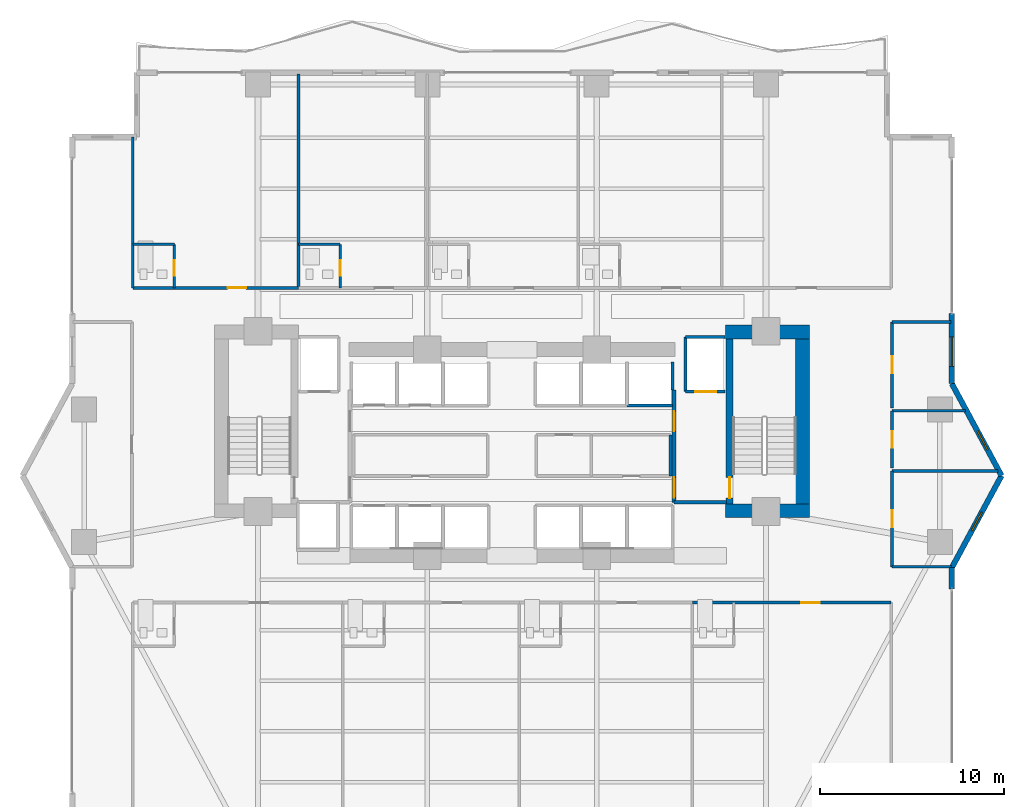
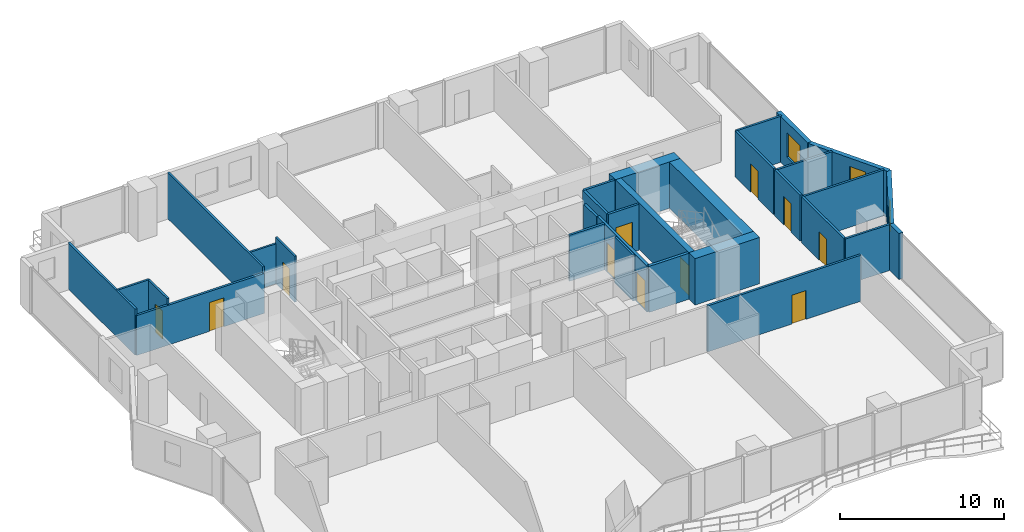
# One storey, part 22 of 28: 31 walls, 11 doors, 3 windows, 14 openings.
"""IFC4 building model written with IfcOpenShell, lengths in metres."""

from ifc_helpers import new_model, si_unit, direction, frame, frame_2d, origin, place, context, subcontext, project, spatial, rectangle, extrude, material, layer, layer_set, type_object, element, fill, save


model = new_model("IFC4")

# Units and contexts
model_context = context("Model", 3, precision=1e-05, world=origin(), true_north=direction((0.0, 1.0)))
body_context = subcontext(model_context, "Body", "Model", "MODEL_VIEW")
ifc_project = project(units=[si_unit("LENGTHUNIT", "METRE"), si_unit("AREAUNIT", "SQUARE_METRE"), si_unit("VOLUMEUNIT", "CUBIC_METRE"), si_unit("PLANEANGLEUNIT", "RADIAN"), si_unit("MASSUNIT", "GRAM", prefix="KILO")], contexts=[model_context])

# Site, building, storey
site_placement = place(None, origin())
site = spatial("IfcSite", under=ifc_project, at=site_placement, CompositionType="ELEMENT")
building_placement = place(site_placement, origin())
building = spatial("IfcBuilding", under=site, at=building_placement, Name="Zuhayl Quay Hotel", CompositionType="ELEMENT")
storey_placement = place(building_placement, frame((0.0, 0.0, 121.199951171875)))
storey = spatial("IfcBuildingStorey", under=building, at=storey_placement, Name="L30", CompositionType="ELEMENT", Elevation=121.199951171875)

# Walls
ifc_material_1 = material(Name="Concrete C60/75", Category="concrete")
ifc_layer_1 = layer(ifc_material_1, 0.75, Name="Concrete C60/75", Category="concrete")
ifc_layer_set_1 = layer_set([ifc_layer_1], Name="Concrete C60/75")
wall_type_1 = type_object("IfcWallType", Name="WL_CORE_750", PredefinedType="SHEAR", material=ifc_layer_set_1)
wall_1_placement = place(storey_placement, frame((11.60009765625, 14.304931640625, 0.0), z_axis=(0.0, 0.0, 1.0), x_axis=(1.0, 0.0, 0.0)))
element("IfcWall", 1, at=wall_1_placement, inside=storey, type_object=wall_type_1, Name="L30 Core Shear Wall CW_NE", PredefinedType="SHEAR", context=body_context, shape_type="SweptSolid", body=[
    extrude(rectangle(XDim=4.559814453125, YDim=0.75, at=frame_2d((2.27978515625, 0.0))), origin(), (0.0, 0.0, 1.0), 3.4599609375),
])
wall_2_placement = place(storey_placement, frame((15.784912109375, 4.969970703125, 0.0), z_axis=(0.0, 0.0, 1.0), x_axis=(0.0, 1.0, 0.0)))
element("IfcWall", 2, at=wall_2_placement, inside=storey, type_object=wall_type_1, Name="L30 Core Shear Wall CW_E", PredefinedType="SHEAR", context=body_context, shape_type="SweptSolid", body=[
    extrude(rectangle(XDim=8.9599609375, YDim=0.75, at=frame_2d((4.47998046875, 0.0))), origin(), (0.0, 0.0, 1.0), 3.4599609375),
])
wall_3_placement = place(storey_placement, frame((11.60009765625, 4.594970703125, 0.0), z_axis=(0.0, 0.0, 1.0), x_axis=(1.0, 0.0, 0.0)))
element("IfcWall", 3, at=wall_3_placement, inside=storey, type_object=wall_type_1, Name="L30 Core Shear Wall CW_SE", PredefinedType="SHEAR", context=body_context, shape_type="SweptSolid", body=[
    extrude(rectangle(XDim=4.559814453125, YDim=0.75, at=frame_2d((2.27978515625, 0.0))), origin(), (0.0, 0.0, 1.0), 3.4599609375),
])

# Wall, opening, window
ifc_material_2 = material(Name="Precast concrete C45/55", Category="concrete")
ifc_layer_2 = layer(ifc_material_2, 0.300048828125, Name="Precast concrete C45/55", Category="concrete")
ifc_layer_set_2 = layer_set([ifc_layer_2], Name="Precast concrete C45/55")
wall_type_2 = type_object("IfcWallType", Name="WL_EXT_300", PredefinedType="STANDARD", material=ifc_layer_set_2)
wall_4_placement = place(storey_placement, frame((23.89990234375, 15.300048828125, 0.0), z_axis=(0.0, 0.0, 1.0), x_axis=(0.0, -1.0, 0.0)))
wall_4 = element("IfcWall", 4, at=wall_4_placement, inside=storey, type_object=wall_type_2, Name="L30 Exterior Precast Wall ENV_L30_E11_EW2", PredefinedType="STANDARD", context=body_context, shape_type="SweptSolid", body=[
    extrude(rectangle(XDim=3.800048828125, YDim=0.300048828125, at=frame_2d((1.89990234375, 0.0))), origin(), (0.0, 0.0, 1.0), 3.429931640625),
])
opening_1_placement = place(wall_4_placement, frame((1.264892578125, 0.0, 0.85009765625)))
opening_1 = element("IfcOpeningElement", 5, at=opening_1_placement, cuts=wall_4, Name="Opening W01", PredefinedType="OPENING", context=body_context, shape_type="SweptSolid", body=[
    extrude(rectangle(XDim=1.60009765625, YDim=1.800048828125, at=frame_2d((0.800048828125, 0.89990234375))), frame((0.0, 0.159912109375, 0.0), z_axis=(0.0, -1.0, 0.0), x_axis=(1.0, 0.0, 0.0)), (0.0, 0.0, 1.0), 0.320068359375),
])
ifc_material_3 = material(Name="Dark Ceramic-Fritted Solar Glass", Category="glass")
window_type_1 = type_object("IfcWindowType", Name="WN_OPERABLE_1600", PartitioningType="DOUBLE_PANEL_VERTICAL", PredefinedType="WINDOW", material=ifc_material_3)
window_1_placement = place(opening_1_placement, origin())
window_1 = element("IfcWindow", 6, at=window_1_placement, inside=storey, type_object=window_type_1, Name="L30 Operable Facade Window 2-1", OverallHeight=1.800048828125, OverallWidth=1.60009765625, PartitioningType="SINGLE_PANEL", PredefinedType="WINDOW", context=body_context, shape_type="SweptSolid", body=[
    extrude(rectangle(XDim=1.60009765625, YDim=1.800048828125, at=frame_2d((0.800048828125, 0.89990234375))), frame((0.0, 0.030029296875, 0.0), z_axis=(0.0, -1.0, 0.0), x_axis=(1.0, 0.0, 0.0)), (0.0, 0.0, 1.0), 0.06005859375),
])
fill(opening_1, window_1)

wall_5_placement = place(storey_placement, frame((23.89990234375, 11.5, 0.0), z_axis=(0.0, 0.0, 1.0), x_axis=(0.475175525499, -0.879891027325, 0.0)))
wall_5 = element("IfcWall", 7, at=wall_5_placement, inside=storey, type_object=wall_type_2, Name="L30 Exterior Precast Wall ENV_L30_EW12", PredefinedType="STANDARD", context=body_context, shape_type="SweptSolid", body=[
    extrude(rectangle(XDim=5.6826171875, YDim=0.300048828125, at=frame_2d((2.84130859375, 0.0))), origin(), (0.0, 0.0, 1.0), 3.429931640625),
])
opening_2_placement = place(wall_5_placement, frame((2.9365234375, 0.0, 1.25)))
opening_2 = element("IfcOpeningElement", 8, at=opening_2_placement, cuts=wall_5, Name="Opening W01N", PredefinedType="OPENING", context=body_context, shape_type="SweptSolid", body=[
    extrude(rectangle(XDim=1.14990234375, YDim=1.550048828125, at=frame_2d((0.574951171875, 0.77490234375))), frame((0.0, 0.159912109375, 0.0), z_axis=(0.0, -1.0, 0.0), x_axis=(1.0, 0.0, 0.0)), (0.0, 0.0, 1.0), 0.320068359375),
])
window_type_2 = type_object("IfcWindowType", Name="WN_NOTCH_1350", PartitioningType="SINGLE_PANEL", PredefinedType="WINDOW", material=ifc_material_3)
window_2_placement = place(opening_2_placement, origin())
window_2 = element("IfcWindow", 9, at=window_2_placement, inside=storey, type_object=window_type_2, Name="L30 Corner Notch Window 12", OverallHeight=1.550048828125, OverallWidth=1.14990234375, PartitioningType="SINGLE_PANEL", PredefinedType="WINDOW", context=body_context, shape_type="SweptSolid", body=[
    extrude(rectangle(XDim=1.14990234375, YDim=1.550048828125, at=frame_2d((0.574951171875, 0.77490234375))), frame((0.0, 0.030029296875, 0.0), z_axis=(0.0, -1.0, 0.0), x_axis=(1.0, 0.0, 0.0)), (0.0, 0.0, 1.0), 0.06005859375),
])
fill(opening_2, window_2)

wall_6_placement = place(storey_placement, frame((26.60009765625, 6.5, 0.0), z_axis=(0.0, 0.0, 1.0), x_axis=(-0.475175525499, -0.879891027325, 0.0)))
wall_6 = element("IfcWall", 10, at=wall_6_placement, inside=storey, type_object=wall_type_2, Name="L30 Exterior Precast Wall ENV_L30_EW13", PredefinedType="STANDARD", context=body_context, shape_type="SweptSolid", body=[
    extrude(rectangle(XDim=5.6826171875, YDim=0.300048828125, at=frame_2d((2.84130859375, 0.0))), origin(), (0.0, 0.0, 1.0), 3.429931640625),
])
opening_3_placement = place(wall_6_placement, frame((2.2421875, 0.0, 1.25)))
opening_3 = element("IfcOpeningElement", 11, at=opening_3_placement, cuts=wall_6, Name="Opening W01N", PredefinedType="OPENING", context=body_context, shape_type="SweptSolid", body=[
    extrude(rectangle(XDim=1.14990234375, YDim=1.550048828125, at=frame_2d((0.574951171875, 0.77490234375))), frame((0.0, 0.159912109375, 0.0), z_axis=(0.0, -1.0, 0.0), x_axis=(1.0, 0.0, 0.0)), (0.0, 0.0, 1.0), 0.320068359375),
])
window_3_placement = place(opening_3_placement, origin())
window_3 = element("IfcWindow", 12, at=window_3_placement, inside=storey, type_object=window_type_2, Name="L30 Corner Notch Window 13", OverallHeight=1.550048828125, OverallWidth=1.14990234375, PartitioningType="SINGLE_PANEL", PredefinedType="WINDOW", context=body_context, shape_type="SweptSolid", body=[
    extrude(rectangle(XDim=1.14990234375, YDim=1.550048828125, at=frame_2d((0.574951171875, 0.77490234375))), frame((0.0, 0.030029296875, 0.0), z_axis=(0.0, -1.0, 0.0), x_axis=(1.0, 0.0, 0.0)), (0.0, 0.0, 1.0), 0.06005859375),
])
fill(opening_3, window_3)

# Walls
wall_7_placement = place(storey_placement, frame((23.89990234375, 1.5, 0.0), z_axis=(0.0, 0.0, 1.0), x_axis=(0.0, -1.0, 0.0)))
element("IfcWall", 13, at=wall_7_placement, inside=storey, type_object=wall_type_2, Name="L30 Exterior Precast Wall ENV_L30_E14_EW1", PredefinedType="STANDARD", context=body_context, shape_type="SweptSolid", body=[
    extrude(rectangle(XDim=1.14990234375, YDim=0.300048828125, at=frame_2d((0.574951171875, 0.0))), origin(), (0.0, 0.0, 1.0), 3.429931640625),
])
ifc_material_4 = material(Name="Acoustic Gypsum Partition STC-58")
ifc_layer_3 = layer(ifc_material_4, 0.14990234375, Name="Acoustic Gypsum Partition STC-58")
ifc_layer_set_3 = layer_set([ifc_layer_3], Name="Acoustic Gypsum Partition STC-58")
wall_type_3 = type_object("IfcWallType", Name="WL_PART_150", PredefinedType="PARTITIONING", material=ifc_layer_set_3)
wall_8_placement = place(storey_placement, frame((8.610107421875, 6.47998046875, 0.0), z_axis=(0.0, 0.0, 1.0), x_axis=(0.0, 1.0, 0.0)))
element("IfcWall", 14, at=wall_8_placement, inside=storey, type_object=wall_type_3, Name="L30 Partition IW_L30_CORE_LN_E", PredefinedType="PARTITIONING", context=body_context, shape_type="SweptSolid", body=[
    extrude(rectangle(XDim=2.239990234375, YDim=0.14990234375, at=frame_2d((1.1201171875, 0.0))), origin(), (0.0, 0.0, 1.0), 3.429931640625),
])
wall_9_placement = place(storey_placement, frame((-20.60009765625, 16.699951171875, 0.0), z_axis=(0.0, 0.0, 1.0), x_axis=(0.0, 1.0, 0.0)))
element("IfcWall", 15, at=wall_9_placement, inside=storey, type_object=wall_type_3, Name="L30 Partition IW_L30_NU01_W", PredefinedType="PARTITIONING", context=body_context, shape_type="SweptSolid", body=[
    extrude(rectangle(XDim=8.199951171875, YDim=0.14990234375, at=frame_2d((4.10009765625, 0.0))), origin(), (0.0, 0.0, 1.0), 3.429931640625),
])
wall_10_placement = place(storey_placement, frame((-11.60009765625, 16.699951171875, 0.0), z_axis=(0.0, 0.0, 1.0), x_axis=(0.0, 1.0, 0.0)))
element("IfcWall", 16, at=wall_10_placement, inside=storey, type_object=wall_type_3, Name="L30 Partition IW_L30_NU01_E", PredefinedType="PARTITIONING", context=body_context, shape_type="SweptSolid", body=[
    extrude(rectangle(XDim=11.6201171875, YDim=0.14990234375, at=frame_2d((5.81005859375, 0.0))), origin(), (0.0, 0.0, 1.0), 3.429931640625),
])
wall_11_placement = place(storey_placement, frame((20.64990234375, 1.550048828125, 0.0), z_axis=(0.0, 0.0, 1.0), x_axis=(1.0, 0.0, 0.0)))
element("IfcWall", 17, at=wall_11_placement, inside=storey, type_object=wall_type_3, Name="L30 Partition IW_L30_HK_MAIN_S", PredefinedType="PARTITIONING", context=body_context, shape_type="SweptSolid", body=[
    extrude(rectangle(XDim=3.217041015625, YDim=0.14990234375, at=frame_2d((1.6083984375, 0.0))), origin(), (0.0, 0.0, 1.0), 3.429931640625),
])
wall_12_placement = place(storey_placement, frame((20.64990234375, 6.75, 0.0), z_axis=(0.0, 0.0, 1.0), x_axis=(1.0, 0.0, 0.0)))
element("IfcWall", 18, at=wall_12_placement, inside=storey, type_object=wall_type_3, Name="L30 Partition IW_L30_HK_MAIN_N", PredefinedType="PARTITIONING", context=body_context, shape_type="SweptSolid", body=[
    extrude(rectangle(XDim=5.755126953125, YDim=0.14990234375, at=frame_2d((2.87744140625, 0.0))), origin(), (0.0, 0.0, 1.0), 3.429931640625),
])
wall_13_placement = place(storey_placement, frame((20.64990234375, 10.02001953125, 0.0), z_axis=(0.0, 0.0, 1.0), x_axis=(1.0, 0.0, 0.0)))
element("IfcWall", 19, at=wall_13_placement, inside=storey, type_object=wall_type_3, Name="L30 Partition IW_L30_EFLK_2_N", PredefinedType="PARTITIONING", context=body_context, shape_type="SweptSolid", body=[
    extrude(rectangle(XDim=3.9892578125, YDim=0.14990234375, at=frame_2d((1.99462890625, 0.0))), origin(), (0.0, 0.0, 1.0), 3.429931640625),
])
wall_14_placement = place(storey_placement, frame((20.64990234375, 14.85009765625, 0.0), z_axis=(0.0, 0.0, 1.0), x_axis=(1.0, 0.0, 0.0)))
element("IfcWall", 20, at=wall_14_placement, inside=storey, type_object=wall_type_3, Name="L30 Partition IW_L30_EFLK_3_N", PredefinedType="PARTITIONING", context=body_context, shape_type="SweptSolid", body=[
    extrude(rectangle(XDim=3.190185546875, YDim=0.14990234375, at=frame_2d((1.59521484375, 0.0))), origin(), (0.0, 0.0, 1.0), 3.429931640625),
])

# Wall, opening, door
ifc_layer_4 = layer(ifc_material_4, 0.159912109375, Name="Acoustic Gypsum Partition STC-58")
ifc_layer_set_4 = layer_set([ifc_layer_4], Name="Acoustic Gypsum Partition STC-58")
wall_type_4 = type_object("IfcWallType", Name="WL_PART_CORR_160", PredefinedType="PARTITIONING", material=ifc_layer_set_4)
wall_15_placement = place(storey_placement, frame((-20.60009765625, 16.699951171875, 0.0), z_axis=(0.0, 0.0, 1.0), x_axis=(1.0, 0.0, 0.0)))
wall_15 = element("IfcWall", 21, at=wall_15_placement, inside=storey, type_object=wall_type_4, Name="L30 Partition IW_L30_NU01_COR", PredefinedType="PARTITIONING", context=body_context, shape_type="SweptSolid", body=[
    extrude(rectangle(XDim=9.0, YDim=0.159912109375, at=frame_2d((4.5, 0.0))), origin(), (0.0, 0.0, 1.0), 2.97314453125),
])
opening_4_placement = place(wall_15_placement, frame((5.14990234375, 0.0, 0.0)))
opening_4 = element("IfcOpeningElement", 22, at=opening_4_placement, cuts=wall_15, Name="Opening D03L", PredefinedType="OPENING", context=body_context, shape_type="SweptSolid", body=[
    extrude(rectangle(XDim=1.0, YDim=2.14990234375, at=frame_2d((0.5, 1.074951171875))), frame((0.0, 0.08984375, 0.0), z_axis=(0.0, -1.0, 0.0), x_axis=(1.0, 0.0, 0.0)), (0.0, 0.0, 1.0), 0.179931640625),
])
ifc_material_5 = material(Name="Solid Walnut Acoustic Fire Door")
door_type_1 = type_object("IfcDoorType", Name="DR_SUITE_1000", OperationType="NOTDEFINED", PredefinedType="DOOR", material=ifc_material_5)
door_1_placement = place(opening_4_placement, origin())
door_1 = element("IfcDoor", 23, at=door_1_placement, inside=storey, type_object=door_type_1, Name="L30 Executive Suite L30-01 Entrance Door", OperationType="SINGLE_SWING_LEFT", OverallHeight=2.14990234375, OverallWidth=1.0, PredefinedType="DOOR", context=body_context, shape_type="SweptSolid", body=[
    extrude(rectangle(XDim=1.0, YDim=2.14990234375, at=frame_2d((0.5, 1.074951171875))), frame((0.0, 0.02490234375, 0.0), z_axis=(0.0, -1.0, 0.0), x_axis=(1.0, 0.0, 0.0)), (0.0, 0.0, 1.0), 0.050048828125),
])
fill(opening_4, door_1)

wall_16_placement = place(storey_placement, frame((9.800048828125, -0.39990234375, 0.0), z_axis=(0.0, 0.0, 1.0), x_axis=(1.0, 0.0, 0.0)))
wall_16 = element("IfcWall", 24, at=wall_16_placement, inside=storey, type_object=wall_type_4, Name="L30 Partition IW_L30_SU04_COR", PredefinedType="PARTITIONING", context=body_context, shape_type="SweptSolid", body=[
    extrude(rectangle(XDim=10.800048828125, YDim=0.159912109375, at=frame_2d((5.39990234375, 0.0))), origin(), (0.0, 0.0, 1.0), 3.429931640625),
])
opening_5_placement = place(wall_16_placement, frame((5.925048828125, 0.0, 0.0)))
opening_5 = element("IfcOpeningElement", 25, at=opening_5_placement, cuts=wall_16, Name="Opening D03L", PredefinedType="OPENING", context=body_context, shape_type="SweptSolid", body=[
    extrude(rectangle(XDim=1.0, YDim=2.14990234375, at=frame_2d((0.5, 1.074951171875))), frame((0.0, 0.08984375, 0.0), z_axis=(0.0, -1.0, 0.0), x_axis=(1.0, 0.0, 0.0)), (0.0, 0.0, 1.0), 0.179931640625),
])
door_2_placement = place(opening_5_placement, origin())
door_2 = element("IfcDoor", 26, at=door_2_placement, inside=storey, type_object=door_type_1, Name="L30 City-View Junior Suite L30-04 Entrance Door", OperationType="SINGLE_SWING_RIGHT", OverallHeight=2.14990234375, OverallWidth=1.0, PredefinedType="DOOR", context=body_context, shape_type="SweptSolid", body=[
    extrude(rectangle(XDim=1.0, YDim=2.14990234375, at=frame_2d((0.5, 1.074951171875))), frame((0.0, 0.02490234375, 0.0), z_axis=(0.0, -1.0, 0.0), x_axis=(1.0, 0.0, 0.0)), (0.0, 0.0, 1.0), 0.050048828125),
])
fill(opening_5, door_2)

wall_17_placement = place(storey_placement, frame((20.64990234375, 1.550048828125, 0.0), z_axis=(0.0, 0.0, 1.0), x_axis=(0.0, 1.0, 0.0)))
wall_17 = element("IfcWall", 27, at=wall_17_placement, inside=storey, type_object=wall_type_4, Name="L30 Partition IW_L30_HK_MAIN_W", PredefinedType="PARTITIONING", context=body_context, shape_type="SweptSolid", body=[
    extrude(rectangle(XDim=5.199951171875, YDim=0.159912109375, at=frame_2d((2.60009765625, 0.0))), origin(), (0.0, 0.0, 1.0), 3.429931640625),
])
opening_6_placement = place(wall_17_placement, frame((2.139892578125, 0.0, 0.0)))
opening_6 = element("IfcOpeningElement", 28, at=opening_6_placement, cuts=wall_17, Name="Opening D05", PredefinedType="OPENING", context=body_context, shape_type="SweptSolid", body=[
    extrude(rectangle(XDim=0.919921875, YDim=2.1201171875, at=frame_2d((0.4599609375, 1.06005859375))), frame((0.0, 0.08984375, 0.0), z_axis=(0.0, -1.0, 0.0), x_axis=(1.0, 0.0, 0.0)), (0.0, 0.0, 1.0), 0.179931640625),
])
door_type_2 = type_object("IfcDoorType", Name="DR_INT_950", OperationType="NOTDEFINED", PredefinedType="DOOR", material=ifc_material_5)
door_3_placement = place(opening_6_placement, origin())
door_3 = element("IfcDoor", 29, at=door_3_placement, inside=storey, type_object=door_type_2, Name="L30 Housekeeping and Linen Room Door", OperationType="SINGLE_SWING_LEFT", OverallHeight=2.1201171875, OverallWidth=0.919921875, PredefinedType="DOOR", context=body_context, shape_type="SweptSolid", body=[
    extrude(rectangle(XDim=0.919921875, YDim=2.1201171875, at=frame_2d((0.4599609375, 1.06005859375))), frame((0.0, 0.02490234375, 0.0), z_axis=(0.0, -1.0, 0.0), x_axis=(1.0, 0.0, 0.0)), (0.0, 0.0, 1.0), 0.050048828125),
])
fill(opening_6, door_3)

wall_18_placement = place(storey_placement, frame((20.64990234375, 6.909912109375, 0.0), z_axis=(0.0, 0.0, 1.0), x_axis=(0.0, 1.0, 0.0)))
wall_18 = element("IfcWall", 30, at=wall_18_placement, inside=storey, type_object=wall_type_4, Name="L30 Partition IW_L30_EFLK_2_W", PredefinedType="PARTITIONING", context=body_context, shape_type="SweptSolid", body=[
    extrude(rectangle(XDim=3.110107421875, YDim=0.159912109375, at=frame_2d((1.55517578125, 0.0))), origin(), (0.0, 0.0, 1.0), 3.429931640625),
])
opening_7_placement = place(wall_18_placement, frame((1.094970703125, 0.0, 0.0)))
opening_7 = element("IfcOpeningElement", 31, at=opening_7_placement, cuts=wall_18, Name="Opening D05", PredefinedType="OPENING", context=body_context, shape_type="SweptSolid", body=[
    extrude(rectangle(XDim=0.919921875, YDim=2.1201171875, at=frame_2d((0.4599609375, 1.06005859375))), frame((0.0, 0.08984375, 0.0), z_axis=(0.0, -1.0, 0.0), x_axis=(1.0, 0.0, 0.0)), (0.0, 0.0, 1.0), 0.179931640625),
])
door_4_placement = place(opening_7_placement, origin())
door_4 = element("IfcDoor", 32, at=door_4_placement, inside=storey, type_object=door_type_2, Name="L30 Floor Beverage Pantry Door", OperationType="SINGLE_SWING_RIGHT", OverallHeight=2.1201171875, OverallWidth=0.919921875, PredefinedType="DOOR", context=body_context, shape_type="SweptSolid", body=[
    extrude(rectangle(XDim=0.919921875, YDim=2.1201171875, at=frame_2d((0.4599609375, 1.06005859375))), frame((0.0, 0.02490234375, 0.0), z_axis=(0.0, -1.0, 0.0), x_axis=(1.0, 0.0, 0.0)), (0.0, 0.0, 1.0), 0.050048828125),
])
fill(opening_7, door_4)

wall_19_placement = place(storey_placement, frame((20.64990234375, 10.179931640625, 0.0), z_axis=(0.0, 0.0, 1.0), x_axis=(0.0, 1.0, 0.0)))
wall_19 = element("IfcWall", 33, at=wall_19_placement, inside=storey, type_object=wall_type_4, Name="L30 Partition IW_L30_EFLK_3_W", PredefinedType="PARTITIONING", context=body_context, shape_type="SweptSolid", body=[
    extrude(rectangle(XDim=4.670166015625, YDim=0.159912109375, at=frame_2d((2.3349609375, 0.0))), origin(), (0.0, 0.0, 1.0), 3.429931640625),
])
opening_8_placement = place(wall_19_placement, frame((1.875, 0.0, 0.0)))
opening_8 = element("IfcOpeningElement", 34, at=opening_8_placement, cuts=wall_19, Name="Opening D05", PredefinedType="OPENING", context=body_context, shape_type="SweptSolid", body=[
    extrude(rectangle(XDim=0.919921875, YDim=2.1201171875, at=frame_2d((0.4599609375, 1.06005859375))), frame((0.0, 0.08984375, 0.0), z_axis=(0.0, -1.0, 0.0), x_axis=(1.0, 0.0, 0.0)), (0.0, 0.0, 1.0), 0.179931640625),
])
door_5_placement = place(opening_8_placement, origin())
door_5 = element("IfcDoor", 35, at=door_5_placement, inside=storey, type_object=door_type_2, Name="L30 East Prow Office L30 Door", OperationType="SINGLE_SWING_LEFT", OverallHeight=2.1201171875, OverallWidth=0.919921875, PredefinedType="DOOR", context=body_context, shape_type="SweptSolid", body=[
    extrude(rectangle(XDim=0.919921875, YDim=2.1201171875, at=frame_2d((0.4599609375, 1.06005859375))), frame((0.0, 0.02490234375, 0.0), z_axis=(0.0, -1.0, 0.0), x_axis=(1.0, 0.0, 0.0)), (0.0, 0.0, 1.0), 0.050048828125),
])
fill(opening_8, door_5)

ifc_material_6 = material(Name="Moisture-Resistant Sanitarychase Gypsum")
ifc_layer_5 = layer(ifc_material_6, 0.135009765625, Name="Moisture-Resistant Sanitarychase Gypsum")
ifc_layer_set_5 = layer_set([ifc_layer_5], Name="Moisture-Resistant Sanitarychase Gypsum")
wall_type_5 = type_object("IfcWallType", Name="WL_PART_PLUMB_150", PredefinedType="PLUMBINGWALL", material=ifc_layer_set_5)
wall_20_placement = place(storey_placement, frame((-18.340087890625, 16.699951171875, 0.0), z_axis=(0.0, 0.0, 1.0), x_axis=(0.0, 1.0, 0.0)))
wall_20 = element("IfcWall", 36, at=wall_20_placement, inside=storey, type_object=wall_type_5, Name="L30 Partition IW_L30_NU01_BE", PredefinedType="PLUMBINGWALL", context=body_context, shape_type="SweptSolid", body=[
    extrude(rectangle(XDim=2.360107421875, YDim=0.135009765625, at=frame_2d((1.18017578125, 0.0))), origin(), (0.0, 0.0, 1.0), 3.429931640625),
])
opening_9_placement = place(wall_20_placement, frame((0.64990234375, 0.0, 0.0)))
opening_9 = element("IfcOpeningElement", 37, at=opening_9_placement, cuts=wall_20, Name="Opening D04", PredefinedType="OPENING", context=body_context, shape_type="SweptSolid", body=[
    extrude(rectangle(XDim=0.85009765625, YDim=2.10009765625, at=frame_2d((0.425048828125, 1.050048828125))), frame((0.0, 0.077392578125, 0.0), z_axis=(0.0, -1.0, 0.0), x_axis=(1.0, 0.0, 0.0)), (0.0, 0.0, 1.0), 0.155029296875),
])
ifc_material_7 = material(Name="Moisture-Resistant Walnut Veneer")
door_type_3 = type_object("IfcDoorType", Name="DR_BATH_850", OperationType="NOTDEFINED", PredefinedType="DOOR", material=ifc_material_7)
door_6_placement = place(opening_9_placement, origin())
door_6 = element("IfcDoor", 38, at=door_6_placement, inside=storey, type_object=door_type_3, Name="L30 Executive Suite L30-01 En-Suite Door", OperationType="SINGLE_SWING_RIGHT", OverallHeight=2.10009765625, OverallWidth=0.85009765625, PredefinedType="DOOR", context=body_context, shape_type="SweptSolid", body=[
    extrude(rectangle(XDim=0.85009765625, YDim=2.10009765625, at=frame_2d((0.425048828125, 1.050048828125))), frame((0.0, 0.02490234375, 0.0), z_axis=(0.0, -1.0, 0.0), x_axis=(1.0, 0.0, 0.0)), (0.0, 0.0, 1.0), 0.050048828125),
])
fill(opening_9, door_6)

wall_21_placement = place(storey_placement, frame((-9.340087890625, 16.699951171875, 0.0), z_axis=(0.0, 0.0, 1.0), x_axis=(0.0, 1.0, 0.0)))
wall_21 = element("IfcWall", 39, at=wall_21_placement, inside=storey, type_object=wall_type_5, Name="L30 Partition IW_L30_NU02_BE", PredefinedType="PLUMBINGWALL", context=body_context, shape_type="SweptSolid", body=[
    extrude(rectangle(XDim=2.360107421875, YDim=0.135009765625, at=frame_2d((1.18017578125, 0.0))), origin(), (0.0, 0.0, 1.0), 3.429931640625),
])
opening_10_placement = place(wall_21_placement, frame((0.64990234375, 0.0, 0.0)))
opening_10 = element("IfcOpeningElement", 40, at=opening_10_placement, cuts=wall_21, Name="Opening D04", PredefinedType="OPENING", context=body_context, shape_type="SweptSolid", body=[
    extrude(rectangle(XDim=0.85009765625, YDim=2.10009765625, at=frame_2d((0.425048828125, 1.050048828125))), frame((0.0, 0.077392578125, 0.0), z_axis=(0.0, -1.0, 0.0), x_axis=(1.0, 0.0, 0.0)), (0.0, 0.0, 1.0), 0.155029296875),
])
door_7_placement = place(opening_10_placement, origin())
door_7 = element("IfcDoor", 41, at=door_7_placement, inside=storey, type_object=door_type_3, Name="L30 Executive Suite L30-02 En-Suite Door", OperationType="SINGLE_SWING_RIGHT", OverallHeight=2.10009765625, OverallWidth=0.85009765625, PredefinedType="DOOR", context=body_context, shape_type="SweptSolid", body=[
    extrude(rectangle(XDim=0.85009765625, YDim=2.10009765625, at=frame_2d((0.425048828125, 1.050048828125))), frame((0.0, 0.02490234375, 0.0), z_axis=(0.0, -1.0, 0.0), x_axis=(1.0, 0.0, 0.0)), (0.0, 0.0, 1.0), 0.050048828125),
])
fill(opening_10, door_7)

# Walls
wall_22_placement = place(storey_placement, frame((-20.60009765625, 19.06005859375, 0.0), z_axis=(0.0, 0.0, 1.0), x_axis=(1.0, 0.0, 0.0)))
element("IfcWall", 42, at=wall_22_placement, inside=storey, type_object=wall_type_5, Name="L30 Partition IW_L30_NU01_BN", PredefinedType="PLUMBINGWALL", context=body_context, shape_type="SweptSolid", body=[
    extrude(rectangle(XDim=2.260009765625, YDim=0.135009765625, at=frame_2d((1.1298828125, 0.0))), origin(), (0.0, 0.0, 1.0), 3.429931640625),
])
wall_23_placement = place(storey_placement, frame((-11.60009765625, 19.06005859375, 0.0), z_axis=(0.0, 0.0, 1.0), x_axis=(1.0, 0.0, 0.0)))
element("IfcWall", 43, at=wall_23_placement, inside=storey, type_object=wall_type_5, Name="L30 Partition IW_L30_NU02_BN", PredefinedType="PLUMBINGWALL", context=body_context, shape_type="SweptSolid", body=[
    extrude(rectangle(XDim=2.260009765625, YDim=0.135009765625, at=frame_2d((1.1298828125, 0.0))), origin(), (0.0, 0.0, 1.0), 2.97314453125),
])

# Wall, opening, door
ifc_material_8 = material(Name="Gypsum Fireboard Assembly EI-90")
ifc_layer_6 = layer(ifc_material_8, 0.1650390625, Name="Gypsum Fireboard Assembly EI-90")
ifc_layer_set_6 = layer_set([ifc_layer_6], Name="Gypsum Fireboard Assembly EI-90")
wall_type_6 = type_object("IfcWallType", Name="WL_PART_SHAFT_160", PredefinedType="PARTITIONING", material=ifc_layer_set_6)
wall_24_placement = place(storey_placement, frame((9.419921875, 11.070068359375, 0.0), z_axis=(0.0, 0.0, 1.0), x_axis=(1.0, 0.0, 0.0)))
wall_24 = element("IfcWall", 44, at=wall_24_placement, inside=storey, type_object=wall_type_6, Name="L30 Partition IW_L30_SH_FL2_F", PredefinedType="PARTITIONING", context=body_context, shape_type="SweptSolid", body=[
    extrude(rectangle(XDim=2.16015625, YDim=0.1650390625, at=frame_2d((1.080078125, 0.0))), origin(), (0.0, 0.0, 1.0), 3.429931640625),
])
opening_11_placement = place(wall_24_placement, frame((0.530029296875, 0.0, 0.0)))
opening_11 = element("IfcOpeningElement", 45, at=opening_11_placement, cuts=wall_24, Name="Opening LD2", PredefinedType="OPENING", context=body_context, shape_type="SweptSolid", body=[
    extrude(rectangle(XDim=1.14990234375, YDim=2.25, at=frame_2d((0.574951171875, 1.125))), frame((0.0, 0.092529296875, 0.0), z_axis=(0.0, -1.0, 0.0), x_axis=(1.0, 0.0, 0.0)), (0.0, 0.0, 1.0), 0.18505859375),
])
ifc_material_9 = material(Name="Brushed Stainless Steel", Category="steel")
door_type_4 = type_object("IfcDoorType", Name="DR_LIFT_FF_1100", OperationType="SLIDING_TO_LEFT", PredefinedType="DOOR", material=ifc_material_9)
door_8_placement = place(opening_11_placement, origin())
door_8 = element("IfcDoor", 46, at=door_8_placement, inside=storey, type_object=door_type_4, Name="L30 Lift FL2 Sliding Landing Door", OperationType="SLIDING_TO_LEFT", OverallHeight=2.25, OverallWidth=1.14990234375, PredefinedType="DOOR", context=body_context, shape_type="SweptSolid", body=[
    extrude(rectangle(XDim=1.14990234375, YDim=2.25, at=frame_2d((0.574951171875, 1.125))), frame((0.0, 0.02490234375, 0.0), z_axis=(0.0, -1.0, 0.0), x_axis=(1.0, 0.0, 0.0)), (0.0, 0.0, 1.0), 0.050048828125),
])
fill(opening_11, door_8)

# Walls
wall_25_placement = place(storey_placement, frame((9.419921875, 11.070068359375, 0.0), z_axis=(0.0, 0.0, 1.0), x_axis=(0.0, 1.0, 0.0)))
element("IfcWall", 47, at=wall_25_placement, inside=storey, type_object=wall_type_6, Name="L30 Partition IW_L30_SH_FL2_W", PredefinedType="PARTITIONING", context=body_context, shape_type="SweptSolid", body=[
    extrude(rectangle(XDim=2.9599609375, YDim=0.1650390625, at=frame_2d((1.47998046875, 0.0))), origin(), (0.0, 0.0, 1.0), 3.429931640625),
])
wall_26_placement = place(storey_placement, frame((9.419921875, 14.030029296875, 0.0), z_axis=(0.0, 0.0, 1.0), x_axis=(1.0, 0.0, 0.0)))
element("IfcWall", 48, at=wall_26_placement, inside=storey, type_object=wall_type_6, Name="L30 Partition IW_L30_SH_FL2_B", PredefinedType="PARTITIONING", context=body_context, shape_type="SweptSolid", body=[
    extrude(rectangle(XDim=2.16015625, YDim=0.1650390625, at=frame_2d((1.080078125, 0.0))), origin(), (0.0, 0.0, 1.0), 3.429931640625),
])
wall_27_placement = place(storey_placement, frame((6.25, 10.320068359375, 0.0), z_axis=(0.0, 0.0, 1.0), x_axis=(1.0, 0.0, 0.0)))
element("IfcWall", 49, at=wall_27_placement, inside=storey, type_object=wall_type_6, Name="L30 Partition IW_L30_SH_HP4_F", PredefinedType="PARTITIONING", context=body_context, shape_type="SweptSolid", body=[
    extrude(rectangle(XDim=2.47998046875, YDim=0.1650390625, at=frame_2d((1.239990234375, 0.0))), origin(), (0.0, 0.0, 1.0), 3.429931640625),
])
wall_28_placement = place(storey_placement, frame((8.72998046875, 11.14990234375, 0.0), z_axis=(0.0, 0.0, 1.0), x_axis=(0.0, 1.0, 0.0)))
element("IfcWall", 50, at=wall_28_placement, inside=storey, type_object=wall_type_6, Name="L30 Partition IW_L30_SH_HP4_E", PredefinedType="PARTITIONING", context=body_context, shape_type="SweptSolid", body=[
    extrude(rectangle(XDim=1.530029296875, YDim=0.1650390625, at=frame_2d((0.76513671875, 0.0))), origin(), (0.0, 0.0, 1.0), 3.429931640625),
])

# Wall, openings, doors
ifc_material_10 = material(Name="Gypsum Fireboard Assembly EI-120")
ifc_layer_7 = layer(ifc_material_10, 0.199951171875, Name="Gypsum Fireboard Assembly EI-120")
ifc_layer_set_7 = layer_set([ifc_layer_7], Name="Gypsum Fireboard Assembly EI-120")
wall_type_7 = type_object("IfcWallType", Name="WL_PART_SHAFT_200", PredefinedType="PARTITIONING", material=ifc_layer_set_7)
wall_29_placement = place(storey_placement, frame((8.800048828125, 11.14990234375, 0.0), z_axis=(0.0, 0.0, 1.0), x_axis=(0.0, -1.0, 0.0)))
wall_29 = element("IfcWall", 51, at=wall_29_placement, inside=storey, type_object=wall_type_7, Name="L30 Partition IW_L30_FSAE_E_W", PredefinedType="PARTITIONING", context=body_context, shape_type="SweptSolid", body=[
    extrude(rectangle(XDim=6.099853515625, YDim=0.199951171875, at=frame_2d((3.0498046875, 0.0))), origin(), (0.0, 0.0, 1.0), 3.429931640625),
])
opening_12_placement = place(wall_29_placement, frame((1.14990234375, 0.0, 0.0)))
opening_12 = element("IfcOpeningElement", 52, at=opening_12_placement, cuts=wall_29, Name="Opening D02", PredefinedType="OPENING", context=body_context, shape_type="SweptSolid", body=[
    extrude(rectangle(XDim=1.10009765625, YDim=2.199951171875, at=frame_2d((0.550048828125, 1.10009765625))), frame((0.0, 0.10986328125, 0.0), z_axis=(0.0, -1.0, 0.0), x_axis=(1.0, 0.0, 0.0)), (0.0, 0.0, 1.0), 0.219970703125),
])
opening_13_placement = place(wall_29_placement, frame((4.75, 0.0, 0.0)))
opening_13 = element("IfcOpeningElement", 53, at=opening_13_placement, cuts=wall_29, Name="Opening D02", PredefinedType="OPENING", context=body_context, shape_type="SweptSolid", body=[
    extrude(rectangle(XDim=1.10009765625, YDim=2.199951171875, at=frame_2d((0.550048828125, 1.10009765625))), frame((0.0, 0.10986328125, 0.0), z_axis=(0.0, -1.0, 0.0), x_axis=(1.0, 0.0, 0.0)), (0.0, 0.0, 1.0), 0.219970703125),
])
ifc_material_11 = material(Name="Steel ASTM A992 Grade 50", Category="steel")
door_type_5 = type_object("IfcDoorType", Name="DR_FIRE_90_1100", OperationType="NOTDEFINED", PredefinedType="DOOR", material=ifc_material_11)
door_9_placement = place(opening_12_placement, origin())
door_9 = element("IfcDoor", 54, at=door_9_placement, inside=storey, type_object=door_type_5, Name="L30 FSAE Lobby East North Entry Door", OperationType="SINGLE_SWING_LEFT", OverallHeight=2.199951171875, OverallWidth=1.10009765625, PredefinedType="DOOR", context=body_context, shape_type="SweptSolid", body=[
    extrude(rectangle(XDim=1.10009765625, YDim=2.199951171875, at=frame_2d((0.550048828125, 1.10009765625))), frame((0.0, 0.02490234375, 0.0), z_axis=(0.0, -1.0, 0.0), x_axis=(1.0, 0.0, 0.0)), (0.0, 0.0, 1.0), 0.050048828125),
])
fill(opening_12, door_9)
door_10_placement = place(opening_13_placement, origin())
door_10 = element("IfcDoor", 55, at=door_10_placement, inside=storey, type_object=door_type_5, Name="L30 FSAE Lobby East South Entry Door", OperationType="SINGLE_SWING_RIGHT", OverallHeight=2.199951171875, OverallWidth=1.10009765625, PredefinedType="DOOR", context=body_context, shape_type="SweptSolid", body=[
    extrude(rectangle(XDim=1.10009765625, YDim=2.199951171875, at=frame_2d((0.550048828125, 1.10009765625))), frame((0.0, 0.02490234375, 0.0), z_axis=(0.0, -1.0, 0.0), x_axis=(1.0, 0.0, 0.0)), (0.0, 0.0, 1.0), 0.050048828125),
])
fill(opening_13, door_10)

# Wall
wall_30_placement = place(storey_placement, frame((8.800048828125, 5.050048828125, 0.0), z_axis=(0.0, 0.0, 1.0), x_axis=(1.0, 0.0, 0.0)))
element("IfcWall", 56, at=wall_30_placement, inside=storey, type_object=wall_type_7, Name="L30 Partition IW_L30_FSAE_E_S", PredefinedType="PARTITIONING", context=body_context, shape_type="SweptSolid", body=[
    extrude(rectangle(XDim=2.849853515625, YDim=0.199951171875, at=frame_2d((1.4248046875, 0.0))), origin(), (0.0, 0.0, 1.0), 3.429931640625),
])

# Wall, opening, door
ifc_layer_8 = layer(ifc_material_1, 0.39990234375, Name="Concrete C60/75", Category="concrete")
ifc_layer_set_8 = layer_set([ifc_layer_8], Name="Concrete C60/75")
wall_type_8 = type_object("IfcWallType", Name="WL_STAIR_400", PredefinedType="SHEAR", material=ifc_layer_set_8)
wall_31_placement = place(storey_placement, frame((11.820068359375, 13.929931640625, 0.0), z_axis=(0.0, 0.0, 1.0), x_axis=(0.0, -1.0, 0.0)))
wall_31 = element("IfcWall", 57, at=wall_31_placement, inside=storey, type_object=wall_type_8, Name="L30 Core Shear Wall SW_ST2", PredefinedType="SHEAR", context=body_context, shape_type="SweptSolid", body=[
    extrude(rectangle(XDim=8.9599609375, YDim=0.39990234375, at=frame_2d((4.47998046875, 0.0))), origin(), (0.0, 0.0, 1.0), 3.4599609375),
])
opening_14_placement = place(wall_31_placement, frame((7.530029296875, 0.0, 0.0)))
opening_14 = element("IfcOpeningElement", 58, at=opening_14_placement, cuts=wall_31, Name="Opening D01", PredefinedType="OPENING", context=body_context, shape_type="SweptSolid", body=[
    extrude(rectangle(XDim=1.1201171875, YDim=2.219970703125, at=frame_2d((0.56005859375, 1.10986328125))), frame((0.0, 0.2099609375, 0.0), z_axis=(0.0, -1.0, 0.0), x_axis=(1.0, 0.0, 0.0)), (0.0, 0.0, 1.0), 0.419921875),
])
door_type_6 = type_object("IfcDoorType", Name="DR_STAIR_90_1100", OperationType="NOTDEFINED", PredefinedType="DOOR", material=ifc_material_11)
door_11_placement = place(opening_14_placement, origin())
door_11 = element("IfcDoor", 59, at=door_11_placement, inside=storey, type_object=door_type_6, Name="L30 Smokeproof Exit Stair ST2 Door", OperationType="SINGLE_SWING_RIGHT", OverallHeight=2.219970703125, OverallWidth=1.1201171875, PredefinedType="DOOR", context=body_context, shape_type="SweptSolid", body=[
    extrude(rectangle(XDim=1.1201171875, YDim=2.219970703125, at=frame_2d((0.56005859375, 1.10986328125))), frame((0.0, 0.02490234375, 0.0), z_axis=(0.0, -1.0, 0.0), x_axis=(1.0, 0.0, 0.0)), (0.0, 0.0, 1.0), 0.050048828125),
])
fill(opening_14, door_11)

save(model, "model.ifc")
